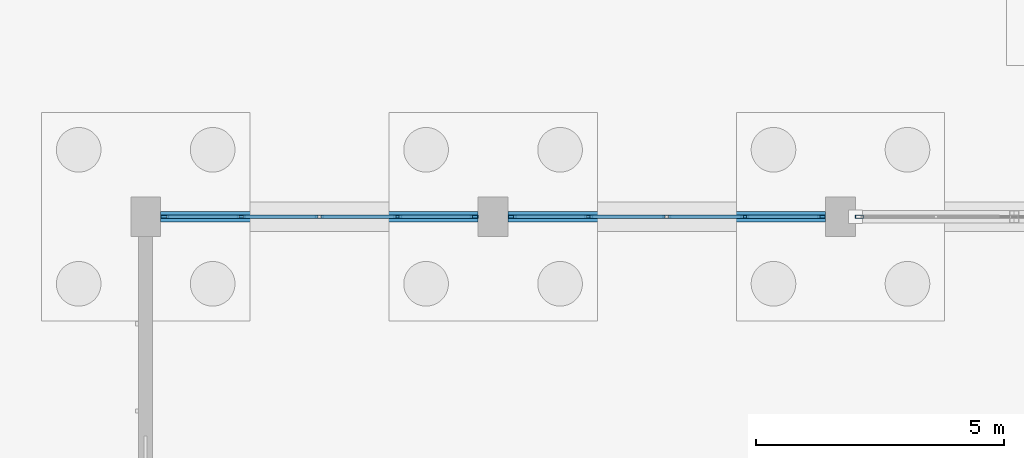
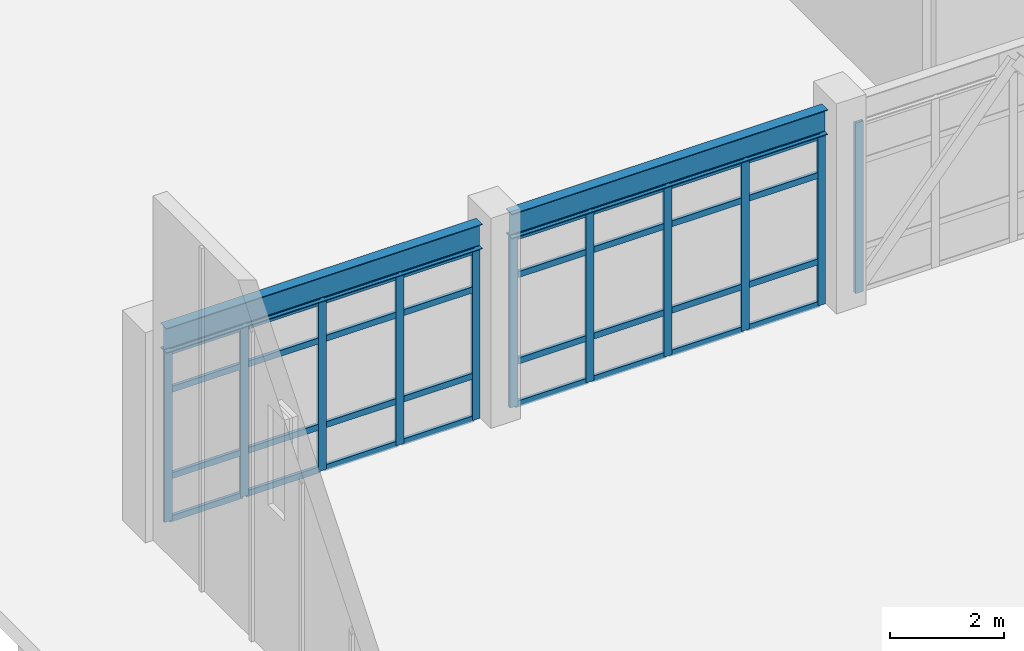
# One storey, part 22 of 154: 43 members, 2 beams, 3 elements without a shape of their own.
"""IFC4 building model written with IfcOpenShell, lengths in metres."""

import ifcopenshell
import ifcopenshell.guid

model = None  # the IFC model being written
_history = None  # IfcOwnerHistory: only IFC2X3 demands one
_inside = {}  # id of a spatial element -> (the spatial element, [elements in it])
_under = {}  # id of a project, library or spatial element -> (it, [spatial elements below it])
_declared = {}  # id of a project -> (the project, [libraries it declares])
_typed = {}  # id of a type object -> (the type object, [elements of that type])
_made_of = {}  # id of a material, layer set ... -> (it, [elements and type objects made of it])


def new_model(schema):
    """Start an empty IFC model of exactly this schema.

    Asked for "IFC4X3", IfcOpenShell would pick the latest addendum, in which some entities
    have other attributes; the version numbers below select the first issue.
    IFC2X3 requires an IfcOwnerHistory on every rooted entity: one is made here for all.
    """
    global model, _history
    if schema == "IFC4X3":
        model = ifcopenshell.file(schema_version=(4, 3, 0, 0))
    else:
        model = ifcopenshell.file(schema=schema)
    _inside.clear()
    _under.clear()
    _declared.clear()
    _typed.clear()
    _made_of.clear()
    _history = None
    if model.schema == "IFC2X3":
        org = make("IfcOrganization", Name="unknown")
        user = make(
            "IfcPersonAndOrganization",
            ThePerson=make("IfcPerson", FamilyName="unknown"),
            TheOrganization=org,
        )
        app = make(
            "IfcApplication",
            ApplicationDeveloper=org,
            Version="unknown",
            ApplicationFullName="unknown",
            ApplicationIdentifier="unknown",
        )
        _history = make(
            "IfcOwnerHistory",
            OwningUser=user,
            OwningApplication=app,
            ChangeAction="ADDED",
            CreationDate=0,
        )
    return model


def make(cls, **values):
    """One entity of the class cls with the attributes given. An attribute that is None is left unset."""
    return model.create_entity(
        cls, **{name: value for name, value in values.items() if value is not None}
    )


def rooted(cls, **values):
    """An entity with a GlobalId (a new one), such as an element, a storey or a relation."""
    return make(cls, GlobalId=ifcopenshell.guid.new(), OwnerHistory=_history, **values)


def si_unit(unit_type, name, prefix=None):
    """IfcSIUnit, for example si_unit("LENGTHUNIT", "METRE", prefix="MILLI")."""
    return make("IfcSIUnit", UnitType=unit_type, Prefix=prefix, Name=name)


def assignment(units):
    """IfcUnitAssignment: the units of a project."""
    return None if units is None else make("IfcUnitAssignment", Units=units)


def point(xyz):
    """IfcCartesianPoint."""
    return None if xyz is None else make("IfcCartesianPoint", Coordinates=xyz)


def direction(xyz):
    """IfcDirection."""
    return None if xyz is None else make("IfcDirection", DirectionRatios=xyz)


def frame(location, z_axis=None, x_axis=None):
    """IfcAxis2Placement3D, a coordinate frame: its origin and axes. An axis left out is left unset."""
    return make(
        "IfcAxis2Placement3D",
        Location=point(location),
        Axis=direction(z_axis),
        RefDirection=direction(x_axis),
    )


def frame_2d(location, x_axis=None):
    """IfcAxis2Placement2D, a coordinate frame in the plane: its origin and x axis."""
    return make(
        "IfcAxis2Placement2D", Location=point(location), RefDirection=direction(x_axis)
    )


def origin():
    """The frame at (0, 0, 0) with its axes left unset."""
    return frame((0.0, 0.0, 0.0))


def origin_2d():
    """The frame at (0, 0) in the plane with its x axis left unset."""
    return frame_2d((0.0, 0.0))


def place(relative_to, where):
    """IfcLocalPlacement: puts the frame where relative to a parent placement (None: the world)."""
    return make(
        "IfcLocalPlacement", PlacementRelTo=relative_to, RelativePlacement=where
    )


def context(
    kind, dimensions, precision=None, world=None, true_north=None, identifier=None
):
    """IfcGeometricRepresentationContext, for example the 3D "Model" context."""
    return make(
        "IfcGeometricRepresentationContext",
        ContextIdentifier=identifier,
        ContextType=kind,
        CoordinateSpaceDimension=dimensions,
        Precision=precision,
        WorldCoordinateSystem=world,
        TrueNorth=true_north,
    )


def subcontext(parent, identifier, kind, view, scale=None):
    """IfcGeometricRepresentationSubContext, for example "Body" below "Model"."""
    return make(
        "IfcGeometricRepresentationSubContext",
        ContextIdentifier=identifier,
        ContextType=kind,
        ParentContext=parent,
        TargetScale=scale,
        TargetView=view,
    )


def project(units=None, contexts=None):
    """IfcProject with its units and contexts."""
    return rooted(
        "IfcProject",
        Name="project",
        RepresentationContexts=contexts,
        UnitsInContext=assignment(units),
    )


def spatial(cls, under=None, at=None, **own):
    """A site, building, storey or space (cls), placed at a placement, below another one or the project."""
    s = rooted(cls, ObjectPlacement=at, **own)
    if under is not None:
        _under.setdefault(under.id(), (under, []))[1].append(s)
    return s


def profile(cls, at=None, kind="AREA", **sizes):
    """A parametric profile (cls). Its sizes go by their IFC names, for example OverallWidth=200.0."""
    return make(cls, ProfileType=kind, Position=at, **sizes)


def hollow_rectangle(**sizes):
    """IfcRectangleHollowProfileDef."""
    return profile("IfcRectangleHollowProfileDef", **sizes)


def i_section(**sizes):
    """IfcIShapeProfileDef."""
    return profile("IfcIShapeProfileDef", **sizes)


def extrude(swept, where, along, depth):
    """IfcExtrudedAreaSolid: the profile swept, set in the frame where, extruded along a direction by depth."""
    return make(
        "IfcExtrudedAreaSolid",
        SweptArea=swept,
        Position=where,
        ExtrudedDirection=direction(along),
        Depth=depth,
    )


def shape(context_of_items, identifier, shape_type, items):
    """IfcShapeRepresentation: the items that make up one representation, for example the "Body"."""
    return make(
        "IfcShapeRepresentation",
        ContextOfItems=context_of_items,
        RepresentationIdentifier=identifier,
        RepresentationType=shape_type,
        Items=items,
    )


def material(Name=None, Category=None):
    """IfcMaterial."""
    return make("IfcMaterial", Name=Name, Category=Category)


def material_profile(
    of_material, cross_section, Name=None, Category=None, Priority=None
):
    """IfcMaterialProfile: a cross section and its material."""
    return make(
        "IfcMaterialProfile",
        Name=Name,
        Material=of_material,
        Profile=cross_section,
        Priority=Priority,
        Category=Category,
    )


def profile_set(profiles, Name=None, composite=None):
    """IfcMaterialProfileSet."""
    return make(
        "IfcMaterialProfileSet",
        Name=Name,
        MaterialProfiles=profiles,
        CompositeProfile=composite,
    )


def made_of(thing, what):
    """Note that an element or type object is made of a material, layer set ...; save() writes the relation."""
    if what is not None:
        _made_of.setdefault(what.id(), (what, []))[1].append(thing)
    return thing


def type_object(cls, material=None, **own):
    """A type object (cls), such as IfcWallType, which elements share."""
    return made_of(rooted(cls, **own), material)


def element(
    cls,
    number,
    at=None,
    inside=None,
    cuts=None,
    type_object=None,
    material=None,
    context=None,
    identifier="Body",
    shape_type=None,
    held_by="IfcProductDefinitionShape",
    body=None,
    shapes=None,
    **own,
):
    """One element of the class cls, such as IfcWall. Its Tag is "e" and its number.

    at: its placement. inside: the storey or other place that contains it. cuts: it is an
    opening in that element (IfcRelVoidsElement). A single representation is given by context,
    identifier, shape_type and body (its items); several are given by shapes. held_by: the class
    of the entity that holds the representations. save() writes the other relations.
    """
    e = rooted(cls, Tag="e%d" % number, ObjectPlacement=at, **own)
    if body is not None:
        shapes = [shape(context, identifier, shape_type, body)]
    if shapes is not None:
        e.Representation = make(held_by, Representations=shapes)
    if inside is not None:
        _inside.setdefault(inside.id(), (inside, []))[1].append(e)
    if cuts is not None:
        rooted(
            "IfcRelVoidsElement", RelatingBuildingElement=cuts, RelatedOpeningElement=e
        )
    if type_object is not None:
        _typed.setdefault(type_object.id(), (type_object, []))[1].append(e)
    return made_of(e, material)


def aggregate(whole, parts):
    """IfcRelAggregates: a whole, such as a stair, and the parts it consists of."""
    return rooted("IfcRelAggregates", RelatingObject=whole, RelatedObjects=parts)


def save(model, path):
    """Write the relations noted so far, then the file.

    IfcRelAggregates (storeys below a building ...), IfcRelContainedInSpatialStructure (elements
    in a storey), IfcRelDefinesByType, IfcRelAssociatesMaterial and IfcRelDeclares: one each for
    every whole, place, type object, material and project.
    """
    for whole, parts in _under.values():
        aggregate(whole, parts)
    for where, things in _inside.values():
        rooted(
            "IfcRelContainedInSpatialStructure",
            RelatedElements=things,
            RelatingStructure=where,
        )
    for kind, things in _typed.values():
        rooted("IfcRelDefinesByType", RelatedObjects=things, RelatingType=kind)
    for what, things in _made_of.values():
        rooted("IfcRelAssociatesMaterial", RelatedObjects=things, RelatingMaterial=what)
    for by, libraries in _declared.values():
        rooted("IfcRelDeclares", RelatingContext=by, RelatedDefinitions=libraries)
    model.write(path)


model = new_model("IFC4")

# Units and contexts
model_context = context("Model", 3, precision=1e-05, world=origin(), true_north=direction((0.0, 1.0)))
body_context = subcontext(model_context, "Body", "Model", "MODEL_VIEW")
ifc_project = project(units=[si_unit("LENGTHUNIT", "METRE"), si_unit("AREAUNIT", "SQUARE_METRE"), si_unit("VOLUMEUNIT", "CUBIC_METRE"), si_unit("PLANEANGLEUNIT", "RADIAN"), si_unit("MASSUNIT", "GRAM", prefix="KILO")], contexts=[model_context])

# Site, building, storey
site_placement = place(None, origin())
site = spatial("IfcSite", under=ifc_project, at=site_placement, CompositionType="ELEMENT")
building_placement = place(site_placement, origin())
building = spatial("IfcBuilding", under=site, at=building_placement, Name="Kestramere Prow Commons", CompositionType="ELEMENT")
storey_placement = place(building_placement, origin())
storey = spatial("IfcBuildingStorey", under=building, at=storey_placement, Name="L00", CompositionType="ELEMENT", Elevation=0.0)

# Beams
ifc_material_1 = material(Name="Steel S355JR", Category="steel")
ifc_material_profile_1 = material_profile(ifc_material_1, i_section(OverallWidth=0.209228515625, OverallDepth=0.533203125, WebThickness=0.010009765625, FlangeThickness=0.015625, FilletRadius=0.0126953125, at=origin_2d()), Name="UB 533x210x92")
ifc_profile_set_1 = profile_set([ifc_material_profile_1], Name="Steel S355JR")
beam_type = type_object("IfcBeamType", Name="BM-HL-GAL UB 533x210x92 (EX)", PredefinedType="BEAM", material=ifc_profile_set_1)
for number, where, z_axis, x_axis, name in (
    (1, (2.5, 43.5, 3.933349609375), (1.0, 0.0, 0.0), (0.0, 1.0, 0.0), "Hall North Perimeter Tie Girder 1"),
    (2, (9.5, 43.5, 3.933349609375), (1.0, 0.0, 0.0), (0.0, 1.0, 0.0), "Hall North Perimeter Tie Girder 2"),
):
    element("IfcBeam", number, at=place(storey_placement, frame(where, z_axis=z_axis, x_axis=x_axis)), inside=storey, type_object=beam_type, Name=name, PredefinedType="BEAM", context=body_context, shape_type="SweptSolid", body=[
        extrude(i_section(OverallWidth=0.209228515625, OverallDepth=0.533203125, WebThickness=0.010009765625, FlangeThickness=0.015625, FilletRadius=0.0126953125, at=origin_2d()), origin(), (0.0, 0.0, 1.0), 6.39990234375),
    ])

# Curtain wall, members
ifc_material_2 = material(Name="Anodised Aluminium and Low-E Glass", Category="aluminium")
curtain_wall_type = type_object("IfcCurtainWallType", Name="CW-11 Glazed Curtain Wall 6300x3650", PredefinedType="USERDEFINED", material=ifc_material_2)
curtain_wall_1_placement = place(storey_placement, origin())
curtain_wall_1 = element("IfcCurtainWall", 3, at=curtain_wall_1_placement, inside=storey, type_object=curtain_wall_type, Name="Hall North Courtyard Curtain Wall L00-1", ObjectType="GLAZED CURTAIN WALL", PredefinedType="USERDEFINED")
ifc_material_3 = material(Name="Anodised Aluminium 6063-T6", Category="aluminium")
ifc_material_profile_2 = material_profile(ifc_material_3, hollow_rectangle(XDim=0.06494140625, YDim=0.159912109375, WallThickness=0.00390625, at=origin_2d()), Name="ALU-MUL 65x160")
ifc_profile_set_2 = profile_set([ifc_material_profile_2], Name="Anodised Aluminium 6063-T6")
member_type_1 = type_object("IfcMemberType", Name="CW-MUL-65x160", PredefinedType="MULLION", material=ifc_profile_set_2)
member_1_placement = place(storey_placement, frame((2.58251953125, 43.5, 0.0), z_axis=(0.0, 0.0, 1.0), x_axis=(0.0, 1.0, 0.0)))
member_1 = element("IfcMember", 4, at=member_1_placement, type_object=member_type_1, Name="CW-11 mullion 1", PredefinedType="MULLION", context=body_context, shape_type="SweptSolid", body=[
    extrude(hollow_rectangle(XDim=0.06494140625, YDim=0.159912109375, WallThickness=0.00390625, at=origin_2d()), origin(), (0.0, 0.0, 1.0), 3.64990234375),
])
member_2_placement = place(storey_placement, frame((4.125, 43.5, 0.0), z_axis=(0.0, 0.0, 1.0), x_axis=(0.0, 1.0, 0.0)))
member_2 = element("IfcMember", 5, at=member_2_placement, type_object=member_type_1, Name="CW-11 mullion 2", PredefinedType="MULLION", context=body_context, shape_type="SweptSolid", body=[
    extrude(hollow_rectangle(XDim=0.06494140625, YDim=0.159912109375, WallThickness=0.00390625, at=origin_2d()), origin(), (0.0, 0.0, 1.0), 3.64990234375),
])
member_3_placement = place(storey_placement, frame((5.699951171875, 43.5, 0.0), z_axis=(0.0, 0.0, 1.0), x_axis=(0.0, 1.0, 0.0)))
member_3 = element("IfcMember", 6, at=member_3_placement, type_object=member_type_1, Name="CW-11 mullion 3", PredefinedType="MULLION", context=body_context, shape_type="SweptSolid", body=[
    extrude(hollow_rectangle(XDim=0.06494140625, YDim=0.159912109375, WallThickness=0.00390625, at=origin_2d()), origin(), (0.0, 0.0, 1.0), 3.64990234375),
])
member_4_placement = place(storey_placement, frame((7.27490234375, 43.5, 0.0), z_axis=(0.0, 0.0, 1.0), x_axis=(0.0, 1.0, 0.0)))
member_4 = element("IfcMember", 7, at=member_4_placement, type_object=member_type_1, Name="CW-11 mullion 4", PredefinedType="MULLION", context=body_context, shape_type="SweptSolid", body=[
    extrude(hollow_rectangle(XDim=0.06494140625, YDim=0.159912109375, WallThickness=0.00390625, at=origin_2d()), origin(), (0.0, 0.0, 1.0), 3.64990234375),
])
member_5_placement = place(storey_placement, frame((8.8173828125, 43.5, 0.0), z_axis=(0.0, 0.0, 1.0), x_axis=(0.0, 1.0, 0.0)))
member_5 = element("IfcMember", 8, at=member_5_placement, type_object=member_type_1, Name="CW-11 mullion 5", PredefinedType="MULLION", context=body_context, shape_type="SweptSolid", body=[
    extrude(hollow_rectangle(XDim=0.06494140625, YDim=0.159912109375, WallThickness=0.00390625, at=origin_2d()), origin(), (0.0, 0.0, 1.0), 3.64990234375),
])

curtain_wall_2_placement = place(storey_placement, origin())
curtain_wall_2 = element("IfcCurtainWall", 9, at=curtain_wall_2_placement, inside=storey, type_object=curtain_wall_type, Name="Hall North Courtyard Curtain Wall L00-2", ObjectType="GLAZED CURTAIN WALL", PredefinedType="USERDEFINED")
member_6_placement = place(storey_placement, frame((9.58251953125, 43.5, 0.0), z_axis=(0.0, 0.0, 1.0), x_axis=(0.0, 1.0, 0.0)))
member_6 = element("IfcMember", 10, at=member_6_placement, type_object=member_type_1, Name="CW-11 mullion 1", PredefinedType="MULLION", context=body_context, shape_type="SweptSolid", body=[
    extrude(hollow_rectangle(XDim=0.06494140625, YDim=0.159912109375, WallThickness=0.00390625, at=origin_2d()), origin(), (0.0, 0.0, 1.0), 3.64990234375),
])
member_7_placement = place(storey_placement, frame((11.125, 43.5, 0.0), z_axis=(0.0, 0.0, 1.0), x_axis=(0.0, 1.0, 0.0)))
member_7 = element("IfcMember", 11, at=member_7_placement, type_object=member_type_1, Name="CW-11 mullion 2", PredefinedType="MULLION", context=body_context, shape_type="SweptSolid", body=[
    extrude(hollow_rectangle(XDim=0.06494140625, YDim=0.159912109375, WallThickness=0.00390625, at=origin_2d()), origin(), (0.0, 0.0, 1.0), 3.64990234375),
])
member_8_placement = place(storey_placement, frame((12.699951171875, 43.5, 0.0), z_axis=(0.0, 0.0, 1.0), x_axis=(0.0, 1.0, 0.0)))
member_8 = element("IfcMember", 12, at=member_8_placement, type_object=member_type_1, Name="CW-11 mullion 3", PredefinedType="MULLION", context=body_context, shape_type="SweptSolid", body=[
    extrude(hollow_rectangle(XDim=0.06494140625, YDim=0.159912109375, WallThickness=0.00390625, at=origin_2d()), origin(), (0.0, 0.0, 1.0), 3.64990234375),
])
member_9_placement = place(storey_placement, frame((14.27490234375, 43.5, 0.0), z_axis=(0.0, 0.0, 1.0), x_axis=(0.0, 1.0, 0.0)))
member_9 = element("IfcMember", 13, at=member_9_placement, type_object=member_type_1, Name="CW-11 mullion 4", PredefinedType="MULLION", context=body_context, shape_type="SweptSolid", body=[
    extrude(hollow_rectangle(XDim=0.06494140625, YDim=0.159912109375, WallThickness=0.00390625, at=origin_2d()), origin(), (0.0, 0.0, 1.0), 3.64990234375),
])
member_10_placement = place(storey_placement, frame((15.8173828125, 43.5, 0.0), z_axis=(0.0, 0.0, 1.0), x_axis=(0.0, 1.0, 0.0)))
member_10 = element("IfcMember", 14, at=member_10_placement, type_object=member_type_1, Name="CW-11 mullion 5", PredefinedType="MULLION", context=body_context, shape_type="SweptSolid", body=[
    extrude(hollow_rectangle(XDim=0.06494140625, YDim=0.159912109375, WallThickness=0.00390625, at=origin_2d()), origin(), (0.0, 0.0, 1.0), 3.64990234375),
])

# Curtain wall, member
curtain_wall_3_placement = place(storey_placement, origin())
curtain_wall_3 = element("IfcCurtainWall", 15, at=curtain_wall_3_placement, inside=storey, type_object=curtain_wall_type, Name="Hall North Courtyard Curtain Wall L00-3", ObjectType="GLAZED CURTAIN WALL", PredefinedType="USERDEFINED")
member_11_placement = place(storey_placement, frame((16.58251953125, 43.5, 0.0), z_axis=(0.0, 0.0, 1.0), x_axis=(0.0, 1.0, 0.0)))
member_11 = element("IfcMember", 16, at=member_11_placement, type_object=member_type_1, Name="CW-11 mullion 1", PredefinedType="MULLION", context=body_context, shape_type="SweptSolid", body=[
    extrude(hollow_rectangle(XDim=0.06494140625, YDim=0.159912109375, WallThickness=0.00390625, at=origin_2d()), origin(), (0.0, 0.0, 1.0), 3.64990234375),
])
aggregate(curtain_wall_3, [member_11])

# Member
ifc_material_profile_3 = material_profile(ifc_material_3, hollow_rectangle(XDim=0.06494140625, YDim=0.1298828125, WallThickness=0.00390625, at=origin_2d()), Name="ALU-TRN 65x130")
ifc_profile_set_3 = profile_set([ifc_material_profile_3], Name="Anodised Aluminium 6063-T6")
member_type_2 = type_object("IfcMemberType", Name="CW-TRN-65x130", PredefinedType="USERDEFINED", material=ifc_profile_set_3)
member_12_placement = place(storey_placement, frame((2.614990234375, 43.5, 0.032470703125), z_axis=(1.0, 0.0, 0.0), x_axis=(0.0, 1.0, 0.0)))
member_12 = element("IfcMember", 17, at=member_12_placement, type_object=member_type_2, Name="CW-11 transom 1.1", ObjectType="TRANSOM", PredefinedType="USERDEFINED", context=body_context, shape_type="SweptSolid", body=[
    extrude(hollow_rectangle(XDim=0.06494140625, YDim=0.1298828125, WallThickness=0.00390625, at=origin_2d()), origin(), (0.0, 0.0, 1.0), 1.4775390625),
])

member_13_placement = place(storey_placement, frame((2.614990234375, 43.5, 0.949951171875), z_axis=(1.0, 0.0, 0.0), x_axis=(0.0, 1.0, 0.0)))
member_13 = element("IfcMember", 18, at=member_13_placement, type_object=member_type_2, Name="CW-11 transom 1.2", ObjectType="TRANSOM", PredefinedType="USERDEFINED", context=body_context, shape_type="SweptSolid", body=[
    extrude(hollow_rectangle(XDim=0.06494140625, YDim=0.1298828125, WallThickness=0.00390625, at=origin_2d()), origin(), (0.0, 0.0, 1.0), 1.4775390625),
])

member_14_placement = place(storey_placement, frame((2.614990234375, 43.5, 2.800048828125), z_axis=(1.0, 0.0, 0.0), x_axis=(0.0, 1.0, 0.0)))
member_14 = element("IfcMember", 19, at=member_14_placement, type_object=member_type_2, Name="CW-11 transom 1.3", ObjectType="TRANSOM", PredefinedType="USERDEFINED", context=body_context, shape_type="SweptSolid", body=[
    extrude(hollow_rectangle(XDim=0.06494140625, YDim=0.1298828125, WallThickness=0.00390625, at=origin_2d()), origin(), (0.0, 0.0, 1.0), 1.4775390625),
])

member_15_placement = place(storey_placement, frame((2.614990234375, 43.5, 3.617431640625), z_axis=(1.0, 0.0, 0.0), x_axis=(0.0, 1.0, 0.0)))
member_15 = element("IfcMember", 20, at=member_15_placement, type_object=member_type_2, Name="CW-11 transom 1.4", ObjectType="TRANSOM", PredefinedType="USERDEFINED", context=body_context, shape_type="SweptSolid", body=[
    extrude(hollow_rectangle(XDim=0.06494140625, YDim=0.1298828125, WallThickness=0.00390625, at=origin_2d()), origin(), (0.0, 0.0, 1.0), 1.4775390625),
])

member_16_placement = place(storey_placement, frame((4.157470703125, 43.5, 0.032470703125), z_axis=(1.0, 0.0, 0.0), x_axis=(0.0, 1.0, 0.0)))
member_16 = element("IfcMember", 21, at=member_16_placement, type_object=member_type_2, Name="CW-11 transom 2.1", ObjectType="TRANSOM", PredefinedType="USERDEFINED", context=body_context, shape_type="SweptSolid", body=[
    extrude(hollow_rectangle(XDim=0.06494140625, YDim=0.1298828125, WallThickness=0.00390625, at=origin_2d()), origin(), (0.0, 0.0, 1.0), 1.510009765625),
])

member_17_placement = place(storey_placement, frame((4.157470703125, 43.5, 0.949951171875), z_axis=(1.0, 0.0, 0.0), x_axis=(0.0, 1.0, 0.0)))
member_17 = element("IfcMember", 22, at=member_17_placement, type_object=member_type_2, Name="CW-11 transom 2.2", ObjectType="TRANSOM", PredefinedType="USERDEFINED", context=body_context, shape_type="SweptSolid", body=[
    extrude(hollow_rectangle(XDim=0.06494140625, YDim=0.1298828125, WallThickness=0.00390625, at=origin_2d()), origin(), (0.0, 0.0, 1.0), 1.510009765625),
])

member_18_placement = place(storey_placement, frame((4.157470703125, 43.5, 2.800048828125), z_axis=(1.0, 0.0, 0.0), x_axis=(0.0, 1.0, 0.0)))
member_18 = element("IfcMember", 23, at=member_18_placement, type_object=member_type_2, Name="CW-11 transom 2.3", ObjectType="TRANSOM", PredefinedType="USERDEFINED", context=body_context, shape_type="SweptSolid", body=[
    extrude(hollow_rectangle(XDim=0.06494140625, YDim=0.1298828125, WallThickness=0.00390625, at=origin_2d()), origin(), (0.0, 0.0, 1.0), 1.510009765625),
])

member_19_placement = place(storey_placement, frame((4.157470703125, 43.5, 3.617431640625), z_axis=(1.0, 0.0, 0.0), x_axis=(0.0, 1.0, 0.0)))
member_19 = element("IfcMember", 24, at=member_19_placement, type_object=member_type_2, Name="CW-11 transom 2.4", ObjectType="TRANSOM", PredefinedType="USERDEFINED", context=body_context, shape_type="SweptSolid", body=[
    extrude(hollow_rectangle(XDim=0.06494140625, YDim=0.1298828125, WallThickness=0.00390625, at=origin_2d()), origin(), (0.0, 0.0, 1.0), 1.510009765625),
])

member_20_placement = place(storey_placement, frame((5.732421875, 43.5, 0.032470703125), z_axis=(1.0, 0.0, 0.0), x_axis=(0.0, 1.0, 0.0)))
member_20 = element("IfcMember", 25, at=member_20_placement, type_object=member_type_2, Name="CW-11 transom 3.1", ObjectType="TRANSOM", PredefinedType="USERDEFINED", context=body_context, shape_type="SweptSolid", body=[
    extrude(hollow_rectangle(XDim=0.06494140625, YDim=0.1298828125, WallThickness=0.00390625, at=origin_2d()), origin(), (0.0, 0.0, 1.0), 1.510009765625),
])

member_21_placement = place(storey_placement, frame((5.732421875, 43.5, 0.949951171875), z_axis=(1.0, 0.0, 0.0), x_axis=(0.0, 1.0, 0.0)))
member_21 = element("IfcMember", 26, at=member_21_placement, type_object=member_type_2, Name="CW-11 transom 3.2", ObjectType="TRANSOM", PredefinedType="USERDEFINED", context=body_context, shape_type="SweptSolid", body=[
    extrude(hollow_rectangle(XDim=0.06494140625, YDim=0.1298828125, WallThickness=0.00390625, at=origin_2d()), origin(), (0.0, 0.0, 1.0), 1.510009765625),
])

member_22_placement = place(storey_placement, frame((5.732421875, 43.5, 2.800048828125), z_axis=(1.0, 0.0, 0.0), x_axis=(0.0, 1.0, 0.0)))
member_22 = element("IfcMember", 27, at=member_22_placement, type_object=member_type_2, Name="CW-11 transom 3.3", ObjectType="TRANSOM", PredefinedType="USERDEFINED", context=body_context, shape_type="SweptSolid", body=[
    extrude(hollow_rectangle(XDim=0.06494140625, YDim=0.1298828125, WallThickness=0.00390625, at=origin_2d()), origin(), (0.0, 0.0, 1.0), 1.510009765625),
])

member_23_placement = place(storey_placement, frame((5.732421875, 43.5, 3.617431640625), z_axis=(1.0, 0.0, 0.0), x_axis=(0.0, 1.0, 0.0)))
member_23 = element("IfcMember", 28, at=member_23_placement, type_object=member_type_2, Name="CW-11 transom 3.4", ObjectType="TRANSOM", PredefinedType="USERDEFINED", context=body_context, shape_type="SweptSolid", body=[
    extrude(hollow_rectangle(XDim=0.06494140625, YDim=0.1298828125, WallThickness=0.00390625, at=origin_2d()), origin(), (0.0, 0.0, 1.0), 1.510009765625),
])

member_24_placement = place(storey_placement, frame((7.3076171875, 43.5, 0.032470703125), z_axis=(1.0, 0.0, 0.0), x_axis=(0.0, 1.0, 0.0)))
member_24 = element("IfcMember", 29, at=member_24_placement, type_object=member_type_2, Name="CW-11 transom 4.1", ObjectType="TRANSOM", PredefinedType="USERDEFINED", context=body_context, shape_type="SweptSolid", body=[
    extrude(hollow_rectangle(XDim=0.06494140625, YDim=0.1298828125, WallThickness=0.00390625, at=origin_2d()), origin(), (0.0, 0.0, 1.0), 1.477294921875),
])

member_25_placement = place(storey_placement, frame((7.3076171875, 43.5, 0.949951171875), z_axis=(1.0, 0.0, 0.0), x_axis=(0.0, 1.0, 0.0)))
member_25 = element("IfcMember", 30, at=member_25_placement, type_object=member_type_2, Name="CW-11 transom 4.2", ObjectType="TRANSOM", PredefinedType="USERDEFINED", context=body_context, shape_type="SweptSolid", body=[
    extrude(hollow_rectangle(XDim=0.06494140625, YDim=0.1298828125, WallThickness=0.00390625, at=origin_2d()), origin(), (0.0, 0.0, 1.0), 1.477294921875),
])

member_26_placement = place(storey_placement, frame((7.3076171875, 43.5, 2.800048828125), z_axis=(1.0, 0.0, 0.0), x_axis=(0.0, 1.0, 0.0)))
member_26 = element("IfcMember", 31, at=member_26_placement, type_object=member_type_2, Name="CW-11 transom 4.3", ObjectType="TRANSOM", PredefinedType="USERDEFINED", context=body_context, shape_type="SweptSolid", body=[
    extrude(hollow_rectangle(XDim=0.06494140625, YDim=0.1298828125, WallThickness=0.00390625, at=origin_2d()), origin(), (0.0, 0.0, 1.0), 1.477294921875),
])

member_27_placement = place(storey_placement, frame((7.3076171875, 43.5, 3.617431640625), z_axis=(1.0, 0.0, 0.0), x_axis=(0.0, 1.0, 0.0)))
member_27 = element("IfcMember", 32, at=member_27_placement, type_object=member_type_2, Name="CW-11 transom 4.4", ObjectType="TRANSOM", PredefinedType="USERDEFINED", context=body_context, shape_type="SweptSolid", body=[
    extrude(hollow_rectangle(XDim=0.06494140625, YDim=0.1298828125, WallThickness=0.00390625, at=origin_2d()), origin(), (0.0, 0.0, 1.0), 1.477294921875),
])

aggregate(curtain_wall_1, [member_1, member_2, member_3, member_4, member_5, member_12, member_13, member_14, member_15, member_16, member_17, member_18, member_19, member_20, member_21, member_22, member_23, member_24, member_25, member_26, member_27])

member_28_placement = place(storey_placement, frame((9.614990234375, 43.5, 0.032470703125), z_axis=(1.0, 0.0, 0.0), x_axis=(0.0, 1.0, 0.0)))
member_28 = element("IfcMember", 33, at=member_28_placement, type_object=member_type_2, Name="CW-11 transom 1.1", ObjectType="TRANSOM", PredefinedType="USERDEFINED", context=body_context, shape_type="SweptSolid", body=[
    extrude(hollow_rectangle(XDim=0.06494140625, YDim=0.1298828125, WallThickness=0.00390625, at=origin_2d()), origin(), (0.0, 0.0, 1.0), 1.4775390625),
])

member_29_placement = place(storey_placement, frame((9.614990234375, 43.5, 0.949951171875), z_axis=(1.0, 0.0, 0.0), x_axis=(0.0, 1.0, 0.0)))
member_29 = element("IfcMember", 34, at=member_29_placement, type_object=member_type_2, Name="CW-11 transom 1.2", ObjectType="TRANSOM", PredefinedType="USERDEFINED", context=body_context, shape_type="SweptSolid", body=[
    extrude(hollow_rectangle(XDim=0.06494140625, YDim=0.1298828125, WallThickness=0.00390625, at=origin_2d()), origin(), (0.0, 0.0, 1.0), 1.4775390625),
])

member_30_placement = place(storey_placement, frame((9.614990234375, 43.5, 2.800048828125), z_axis=(1.0, 0.0, 0.0), x_axis=(0.0, 1.0, 0.0)))
member_30 = element("IfcMember", 35, at=member_30_placement, type_object=member_type_2, Name="CW-11 transom 1.3", ObjectType="TRANSOM", PredefinedType="USERDEFINED", context=body_context, shape_type="SweptSolid", body=[
    extrude(hollow_rectangle(XDim=0.06494140625, YDim=0.1298828125, WallThickness=0.00390625, at=origin_2d()), origin(), (0.0, 0.0, 1.0), 1.4775390625),
])

member_31_placement = place(storey_placement, frame((9.614990234375, 43.5, 3.617431640625), z_axis=(1.0, 0.0, 0.0), x_axis=(0.0, 1.0, 0.0)))
member_31 = element("IfcMember", 36, at=member_31_placement, type_object=member_type_2, Name="CW-11 transom 1.4", ObjectType="TRANSOM", PredefinedType="USERDEFINED", context=body_context, shape_type="SweptSolid", body=[
    extrude(hollow_rectangle(XDim=0.06494140625, YDim=0.1298828125, WallThickness=0.00390625, at=origin_2d()), origin(), (0.0, 0.0, 1.0), 1.4775390625),
])

member_32_placement = place(storey_placement, frame((11.157470703125, 43.5, 0.032470703125), z_axis=(1.0, 0.0, 0.0), x_axis=(0.0, 1.0, 0.0)))
member_32 = element("IfcMember", 37, at=member_32_placement, type_object=member_type_2, Name="CW-11 transom 2.1", ObjectType="TRANSOM", PredefinedType="USERDEFINED", context=body_context, shape_type="SweptSolid", body=[
    extrude(hollow_rectangle(XDim=0.06494140625, YDim=0.1298828125, WallThickness=0.00390625, at=origin_2d()), origin(), (0.0, 0.0, 1.0), 1.510009765625),
])

member_33_placement = place(storey_placement, frame((11.157470703125, 43.5, 0.949951171875), z_axis=(1.0, 0.0, 0.0), x_axis=(0.0, 1.0, 0.0)))
member_33 = element("IfcMember", 38, at=member_33_placement, type_object=member_type_2, Name="CW-11 transom 2.2", ObjectType="TRANSOM", PredefinedType="USERDEFINED", context=body_context, shape_type="SweptSolid", body=[
    extrude(hollow_rectangle(XDim=0.06494140625, YDim=0.1298828125, WallThickness=0.00390625, at=origin_2d()), origin(), (0.0, 0.0, 1.0), 1.510009765625),
])

member_34_placement = place(storey_placement, frame((11.157470703125, 43.5, 2.800048828125), z_axis=(1.0, 0.0, 0.0), x_axis=(0.0, 1.0, 0.0)))
member_34 = element("IfcMember", 39, at=member_34_placement, type_object=member_type_2, Name="CW-11 transom 2.3", ObjectType="TRANSOM", PredefinedType="USERDEFINED", context=body_context, shape_type="SweptSolid", body=[
    extrude(hollow_rectangle(XDim=0.06494140625, YDim=0.1298828125, WallThickness=0.00390625, at=origin_2d()), origin(), (0.0, 0.0, 1.0), 1.510009765625),
])

member_35_placement = place(storey_placement, frame((11.157470703125, 43.5, 3.617431640625), z_axis=(1.0, 0.0, 0.0), x_axis=(0.0, 1.0, 0.0)))
member_35 = element("IfcMember", 40, at=member_35_placement, type_object=member_type_2, Name="CW-11 transom 2.4", ObjectType="TRANSOM", PredefinedType="USERDEFINED", context=body_context, shape_type="SweptSolid", body=[
    extrude(hollow_rectangle(XDim=0.06494140625, YDim=0.1298828125, WallThickness=0.00390625, at=origin_2d()), origin(), (0.0, 0.0, 1.0), 1.510009765625),
])

member_36_placement = place(storey_placement, frame((12.732421875, 43.5, 0.032470703125), z_axis=(1.0, 0.0, 0.0), x_axis=(0.0, 1.0, 0.0)))
member_36 = element("IfcMember", 41, at=member_36_placement, type_object=member_type_2, Name="CW-11 transom 3.1", ObjectType="TRANSOM", PredefinedType="USERDEFINED", context=body_context, shape_type="SweptSolid", body=[
    extrude(hollow_rectangle(XDim=0.06494140625, YDim=0.1298828125, WallThickness=0.00390625, at=origin_2d()), origin(), (0.0, 0.0, 1.0), 1.510009765625),
])

member_37_placement = place(storey_placement, frame((12.732421875, 43.5, 0.949951171875), z_axis=(1.0, 0.0, 0.0), x_axis=(0.0, 1.0, 0.0)))
member_37 = element("IfcMember", 42, at=member_37_placement, type_object=member_type_2, Name="CW-11 transom 3.2", ObjectType="TRANSOM", PredefinedType="USERDEFINED", context=body_context, shape_type="SweptSolid", body=[
    extrude(hollow_rectangle(XDim=0.06494140625, YDim=0.1298828125, WallThickness=0.00390625, at=origin_2d()), origin(), (0.0, 0.0, 1.0), 1.510009765625),
])

member_38_placement = place(storey_placement, frame((12.732421875, 43.5, 2.800048828125), z_axis=(1.0, 0.0, 0.0), x_axis=(0.0, 1.0, 0.0)))
member_38 = element("IfcMember", 43, at=member_38_placement, type_object=member_type_2, Name="CW-11 transom 3.3", ObjectType="TRANSOM", PredefinedType="USERDEFINED", context=body_context, shape_type="SweptSolid", body=[
    extrude(hollow_rectangle(XDim=0.06494140625, YDim=0.1298828125, WallThickness=0.00390625, at=origin_2d()), origin(), (0.0, 0.0, 1.0), 1.510009765625),
])

member_39_placement = place(storey_placement, frame((12.732421875, 43.5, 3.617431640625), z_axis=(1.0, 0.0, 0.0), x_axis=(0.0, 1.0, 0.0)))
member_39 = element("IfcMember", 44, at=member_39_placement, type_object=member_type_2, Name="CW-11 transom 3.4", ObjectType="TRANSOM", PredefinedType="USERDEFINED", context=body_context, shape_type="SweptSolid", body=[
    extrude(hollow_rectangle(XDim=0.06494140625, YDim=0.1298828125, WallThickness=0.00390625, at=origin_2d()), origin(), (0.0, 0.0, 1.0), 1.510009765625),
])

member_40_placement = place(storey_placement, frame((14.3076171875, 43.5, 0.032470703125), z_axis=(1.0, 0.0, 0.0), x_axis=(0.0, 1.0, 0.0)))
member_40 = element("IfcMember", 45, at=member_40_placement, type_object=member_type_2, Name="CW-11 transom 4.1", ObjectType="TRANSOM", PredefinedType="USERDEFINED", context=body_context, shape_type="SweptSolid", body=[
    extrude(hollow_rectangle(XDim=0.06494140625, YDim=0.1298828125, WallThickness=0.00390625, at=origin_2d()), origin(), (0.0, 0.0, 1.0), 1.477294921875),
])

member_41_placement = place(storey_placement, frame((14.3076171875, 43.5, 0.949951171875), z_axis=(1.0, 0.0, 0.0), x_axis=(0.0, 1.0, 0.0)))
member_41 = element("IfcMember", 46, at=member_41_placement, type_object=member_type_2, Name="CW-11 transom 4.2", ObjectType="TRANSOM", PredefinedType="USERDEFINED", context=body_context, shape_type="SweptSolid", body=[
    extrude(hollow_rectangle(XDim=0.06494140625, YDim=0.1298828125, WallThickness=0.00390625, at=origin_2d()), origin(), (0.0, 0.0, 1.0), 1.477294921875),
])

member_42_placement = place(storey_placement, frame((14.3076171875, 43.5, 2.800048828125), z_axis=(1.0, 0.0, 0.0), x_axis=(0.0, 1.0, 0.0)))
member_42 = element("IfcMember", 47, at=member_42_placement, type_object=member_type_2, Name="CW-11 transom 4.3", ObjectType="TRANSOM", PredefinedType="USERDEFINED", context=body_context, shape_type="SweptSolid", body=[
    extrude(hollow_rectangle(XDim=0.06494140625, YDim=0.1298828125, WallThickness=0.00390625, at=origin_2d()), origin(), (0.0, 0.0, 1.0), 1.477294921875),
])

member_43_placement = place(storey_placement, frame((14.3076171875, 43.5, 3.617431640625), z_axis=(1.0, 0.0, 0.0), x_axis=(0.0, 1.0, 0.0)))
member_43 = element("IfcMember", 48, at=member_43_placement, type_object=member_type_2, Name="CW-11 transom 4.4", ObjectType="TRANSOM", PredefinedType="USERDEFINED", context=body_context, shape_type="SweptSolid", body=[
    extrude(hollow_rectangle(XDim=0.06494140625, YDim=0.1298828125, WallThickness=0.00390625, at=origin_2d()), origin(), (0.0, 0.0, 1.0), 1.477294921875),
])

aggregate(curtain_wall_2, [member_6, member_7, member_8, member_9, member_10, member_28, member_29, member_30, member_31, member_32, member_33, member_34, member_35, member_36, member_37, member_38, member_39, member_40, member_41, member_42, member_43])

save(model, "model.ifc")
